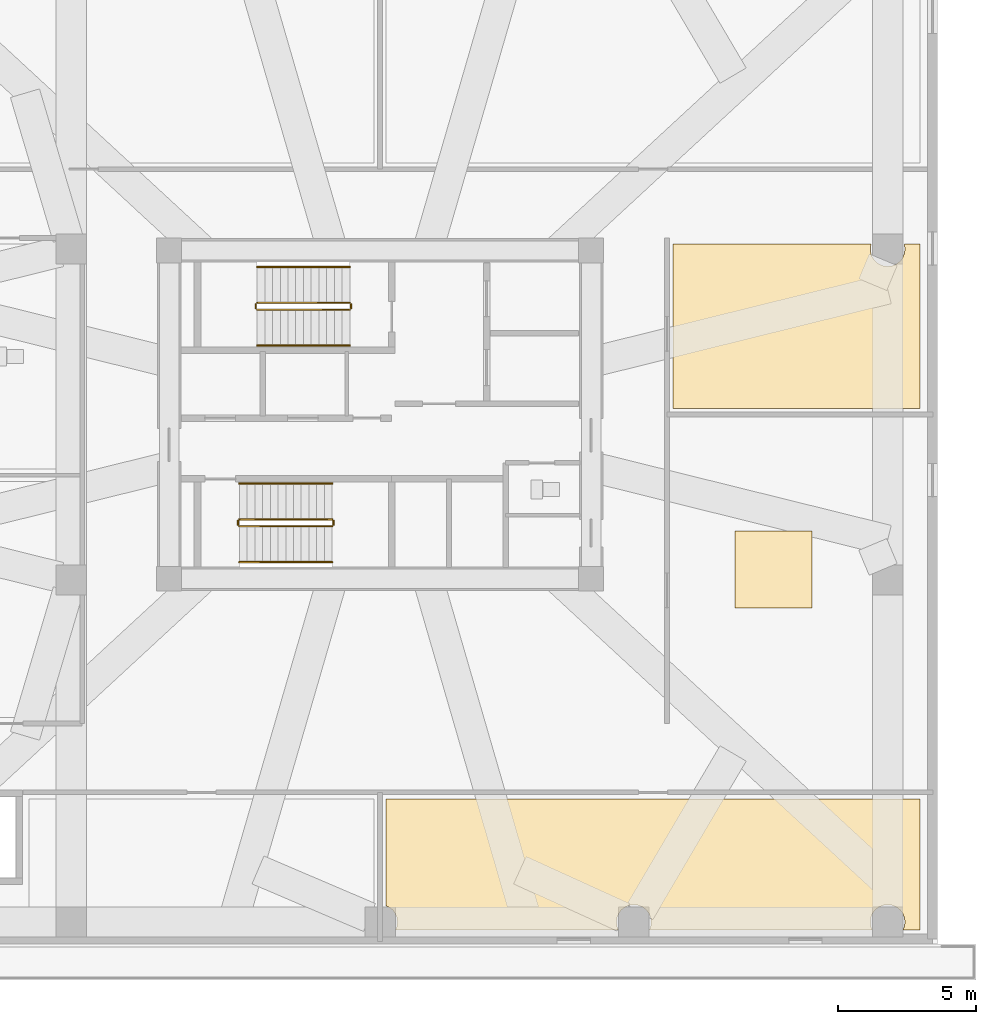
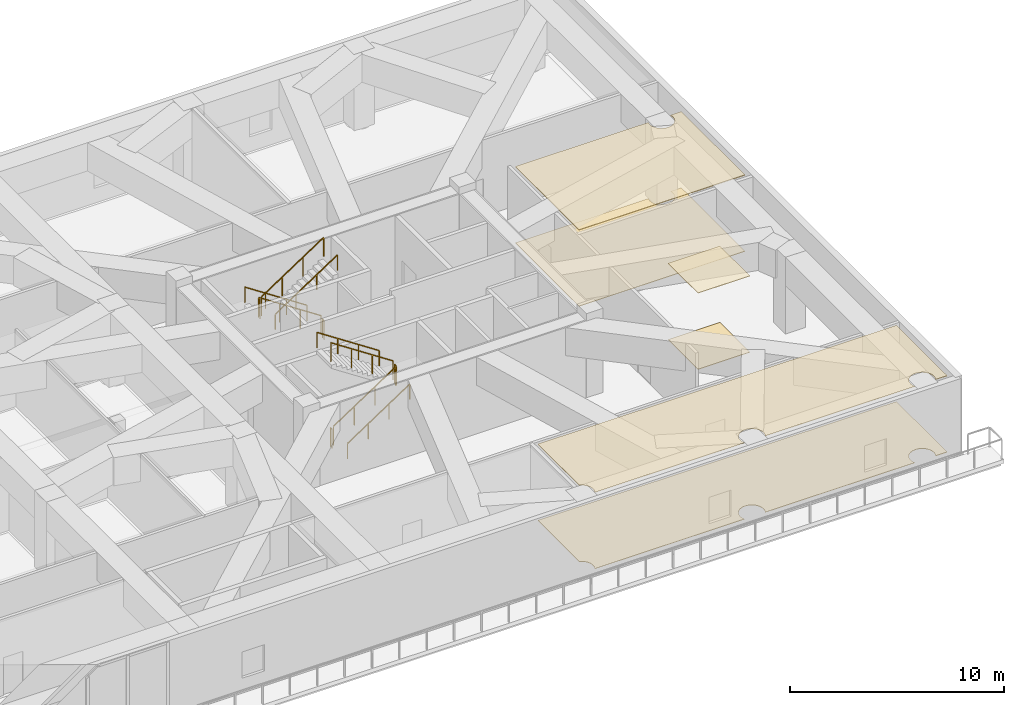
# One storey, part 19 of 21: 12 railings, 6 coverings.
"""IFC4 building model written with IfcOpenShell, lengths in metres."""

from ifc_helpers import new_model, si_unit, direction, frame, origin, origin_2d, place, context, subcontext, project, spatial, polyline, rectangle, outline, extrude, material, layer, layer_set, type_object, element, save


model = new_model("IFC4")

# Units and contexts
model_context = context("Model", 3, precision=1e-05, world=origin(), true_north=direction((0.0, 1.0)))
body_context = subcontext(model_context, "Body", "Model", "MODEL_VIEW")
ifc_project = project(units=[si_unit("LENGTHUNIT", "METRE"), si_unit("AREAUNIT", "SQUARE_METRE"), si_unit("VOLUMEUNIT", "CUBIC_METRE"), si_unit("PLANEANGLEUNIT", "RADIAN"), si_unit("MASSUNIT", "GRAM", prefix="KILO")], contexts=[model_context])

# Site, building, storey
site_placement = place(None, origin())
site = spatial("IfcSite", under=ifc_project, at=site_placement, CompositionType="ELEMENT")
building_placement = place(site_placement, origin())
building = spatial("IfcBuilding", under=site, at=building_placement, Name="Norrkilde Senior Care Towers", CompositionType="ELEMENT")
storey_placement = place(building_placement, frame((0.0, 0.0, 16.800048828125)))
storey = spatial("IfcBuildingStorey", under=building, at=storey_placement, Name="L04", CompositionType="ELEMENT", Elevation=16.800048828125)

# Coverings
ifc_material_1 = material(Name="Nordic Ash Timber", Category="wood")
ifc_layer_1 = layer(ifc_material_1, 0.044921875)
ifc_layer_set_1 = layer_set([ifc_layer_1], Name="Nordic Ash Timber")
covering_type_1 = type_object("IfcCoveringType", Name="Acoustic Ash Timber Slatted Ceiling 45", PredefinedType="CEILING", material=ifc_layer_set_1)
covering_1_placement = place(storey_placement, frame((0.0, 0.0, 4.3349609375)))
element("IfcCovering", 1, at=covering_1_placement, inside=storey, type_object=covering_type_1, Name="L04 Suspended Ceiling 0099", PredefinedType="CEILING", context=body_context, shape_type="SweptSolid", body=[
    extrude(outline(polyline([(47.580078125, 0.219970703125), (38.6201171875, 0.219970703125), (38.6201171875, 6.179931640625), (45.798583984375, 6.179931640625), (45.79150390625, 6.1630859375), (45.77001953125, 6.0), (45.79150390625, 5.8369140625), (45.8544921875, 5.68505859375), (45.95458984375, 5.554443359375), (46.0849609375, 5.454345703125), (46.237060546875, 5.391357421875), (46.39990234375, 5.3701171875), (46.56298828125, 5.391357421875), (46.715087890625, 5.454345703125), (46.845458984375, 5.554443359375), (46.945556640625, 5.68505859375), (47.008544921875, 5.8369140625), (47.030029296875, 6.0), (47.008544921875, 6.1630859375), (47.00146484375, 6.179931640625), (47.580078125, 6.179931640625), (47.580078125, 0.219970703125)])), origin(), (0.0, 0.0, 1.0), 0.044921875),
])
ifc_material_2 = material(Name="Gypsum Acoustic Board")
ifc_layer_2 = layer(ifc_material_2, 0.030029296875)
ifc_layer_set_2 = layer_set([ifc_layer_2], Name="Gypsum Acoustic Board")
covering_type_2 = type_object("IfcCoveringType", Name="Medical Cleanable Gypsum Ceiling 30", PredefinedType="CEILING", material=ifc_layer_set_2)
covering_2_placement = place(storey_placement, frame((0.0, 0.0, 4.349853515625)))
element("IfcCovering", 2, at=covering_2_placement, inside=storey, type_object=covering_type_2, Name="L04 Suspended Ceiling 0098", PredefinedType="CEILING", context=body_context, shape_type="SweptSolid", body=[
    extrude(outline(polyline([(40.8623046875, -7.019775390625), (40.8623046875, -4.2197265625), (43.662353515625, -4.2197265625), (43.662353515625, -7.019775390625), (40.8623046875, -7.019775390625)])), origin(), (0.0, 0.0, 1.0), 0.030029296875),
])
covering_3_placement = place(storey_placement, frame((0.0, 0.0, 4.349853515625)))
element("IfcCovering", 3, at=covering_3_placement, inside=storey, type_object=covering_type_2, Name="L04 Suspended Ceiling 0121", PredefinedType="CEILING", context=body_context, shape_type="SweptSolid", body=[
    extrude(outline(polyline([(37.80859375, -18.56298828125), (37.830078125, -18.39990234375), (37.80859375, -18.237060546875), (37.74560546875, -18.0849609375), (37.6455078125, -17.95458984375), (37.514892578125, -17.8544921875), (37.363037109375, -17.79150390625), (37.199951171875, -17.77001953125), (37.036865234375, -17.79150390625), (36.885009765625, -17.8544921875), (36.754638671875, -17.95458984375), (36.654296875, -18.0849609375), (36.591552734375, -18.237060546875), (36.570068359375, -18.39990234375), (36.591552734375, -18.56298828125), (36.639892578125, -18.679931640625), (28.56005859375, -18.679931640625), (28.608642578125, -18.56298828125), (28.6298828125, -18.39990234375), (28.608642578125, -18.237060546875), (28.545654296875, -18.0849609375), (28.445556640625, -17.95458984375), (28.31494140625, -17.8544921875), (28.219970703125, -17.81494140625), (28.219970703125, -13.93994140625), (47.580078125, -13.93994140625), (47.580078125, -18.679931640625), (46.960205078125, -18.679931640625), (47.008544921875, -18.56298828125), (47.030029296875, -18.39990234375), (47.008544921875, -18.237060546875), (46.945556640625, -18.0849609375), (46.845458984375, -17.95458984375), (46.715087890625, -17.8544921875), (46.56298828125, -17.79150390625), (46.39990234375, -17.77001953125), (46.237060546875, -17.79150390625), (46.0849609375, -17.8544921875), (45.95458984375, -17.95458984375), (45.8544921875, -18.0849609375), (45.79150390625, -18.237060546875), (45.77001953125, -18.39990234375), (45.79150390625, -18.56298828125), (45.83984375, -18.679931640625), (37.760009765625, -18.679931640625), (37.80859375, -18.56298828125)])), origin(), (0.0, 0.0, 1.0), 0.030029296875),
])
ifc_material_3 = material(Name="Slip-Resistant Porcelain Stone", Category="masonry")
ifc_layer_3 = layer(ifc_material_3, 0.02490234375)
ifc_layer_set_3 = layer_set([ifc_layer_3], Name="Slip-Resistant Porcelain Stone")
covering_type_3 = type_object("IfcCoveringType", Name="Slip-Resistant Porcelain Flooring 25", PredefinedType="FLOORING", material=ifc_layer_set_3)
covering_4_placement = place(storey_placement, origin())
element("IfcCovering", 4, at=covering_4_placement, inside=storey, type_object=covering_type_3, Name="L04 Floor Finish 0098", PredefinedType="FLOORING", context=body_context, shape_type="SweptSolid", body=[
    extrude(outline(polyline([(40.8623046875, -7.019775390625), (40.8623046875, -4.2197265625), (43.662353515625, -4.2197265625), (43.662353515625, -7.019775390625), (40.8623046875, -7.019775390625)])), origin(), (0.0, 0.0, 1.0), 0.02490234375),
])
covering_5_placement = place(storey_placement, origin())
element("IfcCovering", 5, at=covering_5_placement, inside=storey, type_object=covering_type_3, Name="L04 Floor Finish 0099", PredefinedType="FLOORING", context=body_context, shape_type="SweptSolid", body=[
    extrude(outline(polyline([(47.580078125, 0.219970703125), (38.6201171875, 0.219970703125), (38.6201171875, 6.179931640625), (45.798583984375, 6.179931640625), (45.79150390625, 6.1630859375), (45.77001953125, 6.0), (45.79150390625, 5.8369140625), (45.8544921875, 5.68505859375), (45.95458984375, 5.554443359375), (46.0849609375, 5.454345703125), (46.237060546875, 5.391357421875), (46.39990234375, 5.3701171875), (46.56298828125, 5.391357421875), (46.715087890625, 5.454345703125), (46.845458984375, 5.554443359375), (46.945556640625, 5.68505859375), (47.008544921875, 5.8369140625), (47.030029296875, 6.0), (47.008544921875, 6.1630859375), (47.00146484375, 6.179931640625), (47.580078125, 6.179931640625), (47.580078125, 0.219970703125)])), origin(), (0.0, 0.0, 1.0), 0.02490234375),
])
covering_6_placement = place(storey_placement, origin())
element("IfcCovering", 6, at=covering_6_placement, inside=storey, type_object=covering_type_3, Name="L04 Floor Finish 0121", PredefinedType="FLOORING", context=body_context, shape_type="SweptSolid", body=[
    extrude(outline(polyline([(37.80859375, -18.56298828125), (37.830078125, -18.39990234375), (37.80859375, -18.237060546875), (37.74560546875, -18.0849609375), (37.6455078125, -17.95458984375), (37.514892578125, -17.8544921875), (37.363037109375, -17.79150390625), (37.199951171875, -17.77001953125), (37.036865234375, -17.79150390625), (36.885009765625, -17.8544921875), (36.754638671875, -17.95458984375), (36.654296875, -18.0849609375), (36.591552734375, -18.237060546875), (36.570068359375, -18.39990234375), (36.591552734375, -18.56298828125), (36.639892578125, -18.679931640625), (28.56005859375, -18.679931640625), (28.608642578125, -18.56298828125), (28.6298828125, -18.39990234375), (28.608642578125, -18.237060546875), (28.545654296875, -18.0849609375), (28.445556640625, -17.95458984375), (28.31494140625, -17.8544921875), (28.219970703125, -17.81494140625), (28.219970703125, -13.93994140625), (47.580078125, -13.93994140625), (47.580078125, -18.679931640625), (46.960205078125, -18.679931640625), (47.008544921875, -18.56298828125), (47.030029296875, -18.39990234375), (47.008544921875, -18.237060546875), (46.945556640625, -18.0849609375), (46.845458984375, -17.95458984375), (46.715087890625, -17.8544921875), (46.56298828125, -17.79150390625), (46.39990234375, -17.77001953125), (46.237060546875, -17.79150390625), (46.0849609375, -17.8544921875), (45.95458984375, -17.95458984375), (45.8544921875, -18.0849609375), (45.79150390625, -18.237060546875), (45.77001953125, -18.39990234375), (45.79150390625, -18.56298828125), (45.83984375, -18.679931640625), (37.760009765625, -18.679931640625), (37.80859375, -18.56298828125)])), origin(), (0.0, 0.0, 1.0), 0.02490234375),
])

# Railings
ifc_material_4 = material(Name="Stainless Steel", Category="steel")
railing_type_1 = type_object("IfcRailingType", Name="Stair and Terrace Guardrail 1100", PredefinedType="GUARDRAIL", material=ifc_material_4)
railing_1_placement = place(storey_placement, frame((26.89990234375, 4.050048828125, 0.1845703125)))
element("IfcRailing", 7, at=railing_1_placement, inside=storey, type_object=railing_type_1, Name="L04 ST-E1 stair guard 1", PredefinedType="GUARDRAIL", context=body_context, shape_type="SweptSolid", body=[
    extrude(rectangle(XDim=0.048095703125, YDim=0.048095703125, at=origin_2d()), frame((0.0, 0.0, 1.076171875), z_axis=(-0.834858096282, 0.0, 0.550465220583), x_axis=(0.0, -1.0, 0.0)), (0.0, 0.0, 1.0), 4.0244140625),
    extrude(rectangle(XDim=0.0419921875, YDim=0.0419921875, at=origin_2d()), origin(), (0.0, 0.0, 1.0), 1.050048828125),
    extrude(rectangle(XDim=0.0419921875, YDim=0.0419921875, at=origin_2d()), frame((-1.119873046875, 0.0, 0.738525390625)), (0.0, 0.0, 1.0), 1.050048828125),
    extrude(rectangle(XDim=0.0419921875, YDim=0.0419921875, at=origin_2d()), frame((-2.239990234375, 0.0, 1.476806640625)), (0.0, 0.0, 1.0), 1.050048828125),
    extrude(rectangle(XDim=0.0419921875, YDim=0.0419921875, at=origin_2d()), frame((-3.35986328125, 0.0, 2.21533203125)), (0.0, 0.0, 1.0), 1.050048828125),
])
railing_2_placement = place(storey_placement, frame((23.489990234375, 4.0, 2.39990234375)))
element("IfcRailing", 8, at=railing_2_placement, inside=storey, type_object=railing_type_1, Name="L04 ST-E1 stair guard 2", PredefinedType="GUARDRAIL", context=body_context, shape_type="SweptSolid", body=[
    extrude(rectangle(XDim=0.048095703125, YDim=0.048095703125, at=origin_2d()), frame((0.0, 0.0, 1.076171875), z_axis=(0.0, -1.0, 0.0), x_axis=(1.0, 0.0, 0.0)), (0.0, 0.0, 1.0), 0.14990234375),
    extrude(rectangle(XDim=0.0419921875, YDim=0.0419921875, at=origin_2d()), origin(), (0.0, 0.0, 1.0), 1.050048828125),
    extrude(rectangle(XDim=0.0419921875, YDim=0.0419921875, at=origin_2d()), frame((0.0, -0.14990234375, 0.0)), (0.0, 0.0, 1.0), 1.050048828125),
])
railing_3_placement = place(storey_placement, frame((23.5400390625, 3.800048828125, 2.58447265625)))
element("IfcRailing", 9, at=railing_3_placement, inside=storey, type_object=railing_type_1, Name="L04 ST-E1 stair guard 3", PredefinedType="GUARDRAIL", context=body_context, shape_type="SweptSolid", body=[
    extrude(rectangle(XDim=0.048095703125, YDim=0.048095703125, at=origin_2d()), frame((0.0, 0.0, 1.076171875), z_axis=(0.83483021737, 0.0, 0.550507500554), x_axis=(0.0, 1.0, 0.0)), (0.0, 0.0, 1.0), 4.024658203125),
    extrude(rectangle(XDim=0.0419921875, YDim=0.0419921875, at=origin_2d()), origin(), (0.0, 0.0, 1.0), 1.050048828125),
    extrude(rectangle(XDim=0.0419921875, YDim=0.0419921875, at=origin_2d()), frame((1.119873046875, 0.0, 0.738525390625)), (0.0, 0.0, 1.0), 1.050048828125),
    extrude(rectangle(XDim=0.0419921875, YDim=0.0419921875, at=origin_2d()), frame((2.239990234375, 0.0, 1.47705078125)), (0.0, 0.0, 1.0), 1.050048828125),
    extrude(rectangle(XDim=0.0419921875, YDim=0.0419921875, at=origin_2d()), frame((3.35986328125, 0.0, 2.215576171875)), (0.0, 0.0, 1.0), 1.050048828125),
])
railing_4_placement = place(storey_placement, frame((26.949951171875, 4.0, 0.0)))
element("IfcRailing", 10, at=railing_4_placement, inside=storey, type_object=railing_type_1, Name="L04 ST-E1 stair guard 4", PredefinedType="GUARDRAIL", context=body_context, shape_type="SweptSolid", body=[
    extrude(rectangle(XDim=0.048095703125, YDim=0.048095703125, at=origin_2d()), frame((0.0, 0.0, 1.076171875), z_axis=(0.0, -1.0, 0.0), x_axis=(1.0, 0.0, 0.0)), (0.0, 0.0, 1.0), 0.14990234375),
    extrude(rectangle(XDim=0.0419921875, YDim=0.0419921875, at=origin_2d()), origin(), (0.0, 0.0, 1.0), 1.050048828125),
    extrude(rectangle(XDim=0.0419921875, YDim=0.0419921875, at=origin_2d()), frame((0.0, -0.14990234375, 0.0)), (0.0, 0.0, 1.0), 1.050048828125),
])
railing_5_placement = place(storey_placement, frame((22.89990234375, -4.050048828125, 0.1845703125)))
element("IfcRailing", 11, at=railing_5_placement, inside=storey, type_object=railing_type_1, Name="L04 ST-E2 stair guard 1", PredefinedType="GUARDRAIL", context=body_context, shape_type="SweptSolid", body=[
    extrude(rectangle(XDim=0.048095703125, YDim=0.048095703125, at=origin_2d()), frame((0.0, 0.0, 1.076171875), z_axis=(0.834876476806, 0.0, 0.550437342915), x_axis=(0.0, 1.0, 0.0)), (0.0, 0.0, 1.0), 4.024658203125),
    extrude(rectangle(XDim=0.0419921875, YDim=0.0419921875, at=origin_2d()), origin(), (0.0, 0.0, 1.0), 1.050048828125),
    extrude(rectangle(XDim=0.0419921875, YDim=0.0419921875, at=origin_2d()), frame((1.1201171875, 0.0, 0.738525390625)), (0.0, 0.0, 1.0), 1.050048828125),
    extrude(rectangle(XDim=0.0419921875, YDim=0.0419921875, at=origin_2d()), frame((2.239990234375, 0.0, 1.476806640625)), (0.0, 0.0, 1.0), 1.050048828125),
    extrude(rectangle(XDim=0.0419921875, YDim=0.0419921875, at=origin_2d()), frame((3.360107421875, 0.0, 2.21533203125)), (0.0, 0.0, 1.0), 1.050048828125),
])
railing_6_placement = place(storey_placement, frame((26.31005859375, -4.0, 2.39990234375)))
element("IfcRailing", 12, at=railing_6_placement, inside=storey, type_object=railing_type_1, Name="L04 ST-E2 stair guard 2", PredefinedType="GUARDRAIL", context=body_context, shape_type="SweptSolid", body=[
    extrude(rectangle(XDim=0.048095703125, YDim=0.048095703125, at=origin_2d()), frame((0.0, 0.0, 1.076171875), z_axis=(0.0, 1.0, 0.0), x_axis=(-1.0, 0.0, 0.0)), (0.0, 0.0, 1.0), 0.14990234375),
    extrude(rectangle(XDim=0.0419921875, YDim=0.0419921875, at=origin_2d()), origin(), (0.0, 0.0, 1.0), 1.050048828125),
    extrude(rectangle(XDim=0.0419921875, YDim=0.0419921875, at=origin_2d()), frame((0.0, 0.14990234375, 0.0)), (0.0, 0.0, 1.0), 1.050048828125),
])
railing_7_placement = place(storey_placement, frame((26.260009765625, -3.800048828125, 2.58447265625)))
element("IfcRailing", 13, at=railing_7_placement, inside=storey, type_object=railing_type_1, Name="L04 ST-E2 stair guard 3", PredefinedType="GUARDRAIL", context=body_context, shape_type="SweptSolid", body=[
    extrude(rectangle(XDim=0.048095703125, YDim=0.048095703125, at=origin_2d()), frame((0.0, 0.0, 1.076171875), z_axis=(-0.834848600103, 0.0, 0.550479622607), x_axis=(0.0, -1.0, 0.0)), (0.0, 0.0, 1.0), 4.02490234375),
    extrude(rectangle(XDim=0.0419921875, YDim=0.0419921875, at=origin_2d()), origin(), (0.0, 0.0, 1.0), 1.050048828125),
    extrude(rectangle(XDim=0.0419921875, YDim=0.0419921875, at=origin_2d()), frame((-1.1201171875, 0.0, 0.738525390625)), (0.0, 0.0, 1.0), 1.050048828125),
    extrude(rectangle(XDim=0.0419921875, YDim=0.0419921875, at=origin_2d()), frame((-2.239990234375, 0.0, 1.47705078125)), (0.0, 0.0, 1.0), 1.050048828125),
    extrude(rectangle(XDim=0.0419921875, YDim=0.0419921875, at=origin_2d()), frame((-3.360107421875, 0.0, 2.215576171875)), (0.0, 0.0, 1.0), 1.050048828125),
])
railing_8_placement = place(storey_placement, frame((22.85009765625, -4.0, 0.0)))
element("IfcRailing", 14, at=railing_8_placement, inside=storey, type_object=railing_type_1, Name="L04 ST-E2 stair guard 4", PredefinedType="GUARDRAIL", context=body_context, shape_type="SweptSolid", body=[
    extrude(rectangle(XDim=0.048095703125, YDim=0.048095703125, at=origin_2d()), frame((0.0, 0.0, 1.076171875), z_axis=(0.0, 1.0, 0.0), x_axis=(-1.0, 0.0, 0.0)), (0.0, 0.0, 1.0), 0.14990234375),
    extrude(rectangle(XDim=0.0419921875, YDim=0.0419921875, at=origin_2d()), origin(), (0.0, 0.0, 1.0), 1.050048828125),
    extrude(rectangle(XDim=0.0419921875, YDim=0.0419921875, at=origin_2d()), frame((0.0, 0.14990234375, 0.0)), (0.0, 0.0, 1.0), 1.050048828125),
])
railing_type_2 = type_object("IfcRailingType", Name="Wall and Stair Handrail 900", PredefinedType="HANDRAIL", material=ifc_material_1)
railing_9_placement = place(storey_placement, frame((26.89990234375, 5.35009765625, 0.1845703125)))
element("IfcRailing", 15, at=railing_9_placement, inside=storey, type_object=railing_type_2, Name="L04 ST-E1 stair handrail 1", PredefinedType="HANDRAIL", context=body_context, shape_type="SweptSolid", body=[
    extrude(rectangle(XDim=0.048095703125, YDim=0.048095703125, at=origin_2d()), frame((0.0, 0.0, 0.8759765625), z_axis=(-0.834858096282, 0.0, 0.550465220583), x_axis=(0.0, -1.0, 0.0)), (0.0, 0.0, 1.0), 4.0244140625),
    extrude(rectangle(XDim=0.0419921875, YDim=0.0419921875, at=origin_2d()), origin(), (0.0, 0.0, 1.0), 0.849853515625),
    extrude(rectangle(XDim=0.0419921875, YDim=0.0419921875, at=origin_2d()), frame((-1.119873046875, 0.0, 0.738525390625)), (0.0, 0.0, 1.0), 0.849853515625),
    extrude(rectangle(XDim=0.0419921875, YDim=0.0419921875, at=origin_2d()), frame((-2.239990234375, 0.0, 1.476806640625)), (0.0, 0.0, 1.0), 0.849853515625),
    extrude(rectangle(XDim=0.0419921875, YDim=0.0419921875, at=origin_2d()), frame((-3.35986328125, 0.0, 2.21533203125)), (0.0, 0.0, 1.0), 0.849853515625),
])
railing_10_placement = place(storey_placement, frame((23.5400390625, 2.5, 2.58447265625)))
element("IfcRailing", 16, at=railing_10_placement, inside=storey, type_object=railing_type_2, Name="L04 ST-E1 stair handrail 2", PredefinedType="HANDRAIL", context=body_context, shape_type="SweptSolid", body=[
    extrude(rectangle(XDim=0.048095703125, YDim=0.048095703125, at=origin_2d()), frame((0.0, 0.0, 0.8759765625), z_axis=(0.83483021737, 0.0, 0.550507500554), x_axis=(0.0, 1.0, 0.0)), (0.0, 0.0, 1.0), 4.024658203125),
    extrude(rectangle(XDim=0.0419921875, YDim=0.0419921875, at=origin_2d()), origin(), (0.0, 0.0, 1.0), 0.849853515625),
    extrude(rectangle(XDim=0.0419921875, YDim=0.0419921875, at=origin_2d()), frame((1.119873046875, 0.0, 0.738525390625)), (0.0, 0.0, 1.0), 0.849853515625),
    extrude(rectangle(XDim=0.0419921875, YDim=0.0419921875, at=origin_2d()), frame((2.239990234375, 0.0, 1.47705078125)), (0.0, 0.0, 1.0), 0.849853515625),
    extrude(rectangle(XDim=0.0419921875, YDim=0.0419921875, at=origin_2d()), frame((3.35986328125, 0.0, 2.215576171875)), (0.0, 0.0, 1.0), 0.849853515625),
])
railing_11_placement = place(storey_placement, frame((22.89990234375, -5.35009765625, 0.1845703125)))
element("IfcRailing", 17, at=railing_11_placement, inside=storey, type_object=railing_type_2, Name="L04 ST-E2 stair handrail 1", PredefinedType="HANDRAIL", context=body_context, shape_type="SweptSolid", body=[
    extrude(rectangle(XDim=0.048095703125, YDim=0.048095703125, at=origin_2d()), frame((0.0, 0.0, 0.8759765625), z_axis=(0.834876476806, 0.0, 0.550437342915), x_axis=(0.0, 1.0, 0.0)), (0.0, 0.0, 1.0), 4.024658203125),
    extrude(rectangle(XDim=0.0419921875, YDim=0.0419921875, at=origin_2d()), origin(), (0.0, 0.0, 1.0), 0.849853515625),
    extrude(rectangle(XDim=0.0419921875, YDim=0.0419921875, at=origin_2d()), frame((1.1201171875, 0.0, 0.738525390625)), (0.0, 0.0, 1.0), 0.849853515625),
    extrude(rectangle(XDim=0.0419921875, YDim=0.0419921875, at=origin_2d()), frame((2.239990234375, 0.0, 1.476806640625)), (0.0, 0.0, 1.0), 0.849853515625),
    extrude(rectangle(XDim=0.0419921875, YDim=0.0419921875, at=origin_2d()), frame((3.360107421875, 0.0, 2.21533203125)), (0.0, 0.0, 1.0), 0.849853515625),
])
railing_12_placement = place(storey_placement, frame((26.260009765625, -2.5, 2.58447265625)))
element("IfcRailing", 18, at=railing_12_placement, inside=storey, type_object=railing_type_2, Name="L04 ST-E2 stair handrail 2", PredefinedType="HANDRAIL", context=body_context, shape_type="SweptSolid", body=[
    extrude(rectangle(XDim=0.048095703125, YDim=0.048095703125, at=origin_2d()), frame((0.0, 0.0, 0.8759765625), z_axis=(-0.834848600103, 0.0, 0.550479622607), x_axis=(0.0, -1.0, 0.0)), (0.0, 0.0, 1.0), 4.02490234375),
    extrude(rectangle(XDim=0.0419921875, YDim=0.0419921875, at=origin_2d()), origin(), (0.0, 0.0, 1.0), 0.849853515625),
    extrude(rectangle(XDim=0.0419921875, YDim=0.0419921875, at=origin_2d()), frame((-1.1201171875, 0.0, 0.738525390625)), (0.0, 0.0, 1.0), 0.849853515625),
    extrude(rectangle(XDim=0.0419921875, YDim=0.0419921875, at=origin_2d()), frame((-2.239990234375, 0.0, 1.47705078125)), (0.0, 0.0, 1.0), 0.849853515625),
    extrude(rectangle(XDim=0.0419921875, YDim=0.0419921875, at=origin_2d()), frame((-3.360107421875, 0.0, 2.215576171875)), (0.0, 0.0, 1.0), 0.849853515625),
])

save(model, "model.ifc")
